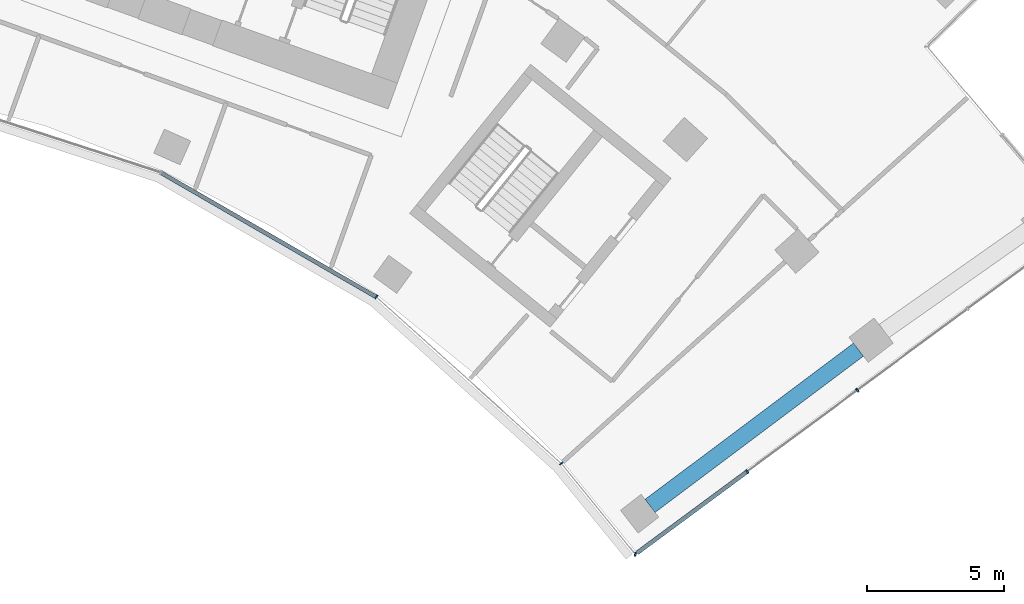
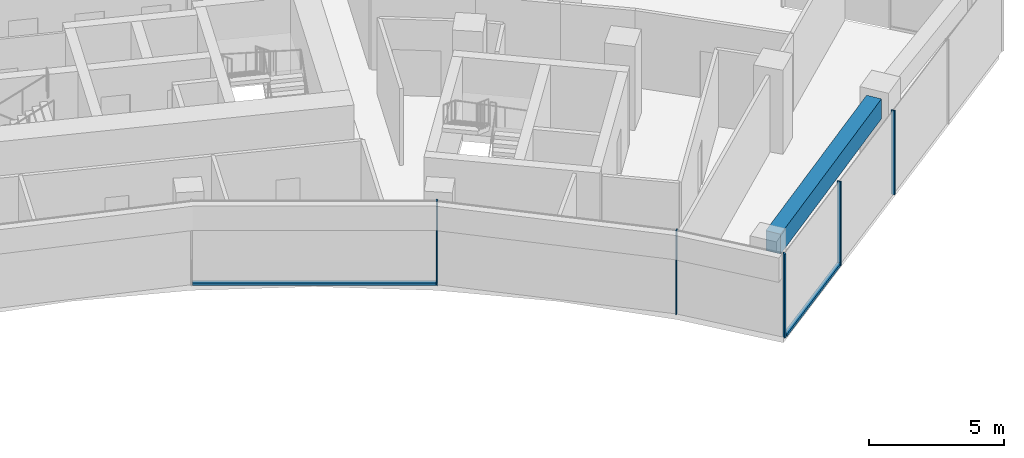
# One storey, part 7 of 19: 7 members, 1 beam, 2 elements without a shape of their own.
"""IFC4 building model written with IfcOpenShell, lengths in metres."""

from ifc_helpers import new_model, si_unit, direction, frame, origin, origin_2d, place, context, subcontext, project, spatial, rectangle, extrude, material, layer, layer_set, material_profile, profile_set, type_object, element, aggregate, save


model = new_model("IFC4")

# Units and contexts
model_context = context("Model", 3, precision=1e-05, world=origin(), true_north=direction((0.0, 1.0)))
body_context = subcontext(model_context, "Body", "Model", "MODEL_VIEW")
ifc_project = project(units=[si_unit("LENGTHUNIT", "METRE"), si_unit("AREAUNIT", "SQUARE_METRE"), si_unit("VOLUMEUNIT", "CUBIC_METRE"), si_unit("PLANEANGLEUNIT", "RADIAN"), si_unit("MASSUNIT", "GRAM", prefix="KILO")], contexts=[model_context])

# Site, building, storey
site_placement = place(None, origin())
site = spatial("IfcSite", under=ifc_project, at=site_placement, CompositionType="ELEMENT")
building_placement = place(site_placement, origin())
building = spatial("IfcBuilding", under=site, at=building_placement, Name="Stone Belt Terrace Tower", CompositionType="ELEMENT")
storey_placement = place(building_placement, frame((0.0, 0.0, 208.60009765625)))
storey = spatial("IfcBuildingStorey", under=building, at=storey_placement, Name="L50", CompositionType="ELEMENT", Elevation=208.60009765625)

# Curtain wall, members
ifc_material_1 = material(Name="Aluminium 6063-T6 anodised frame", Category="aluminium")
ifc_layer_1 = layer(ifc_material_1, 0.14990234375)
ifc_layer_set_1 = layer_set([ifc_layer_1], Name="CW-B unitised concave-face curtain wall")
curtain_wall_type_1 = type_object("IfcCurtainWallType", Name="CW-B unitised concave-face curtain wall", PredefinedType="NOTDEFINED", material=ifc_layer_set_1)
curtain_wall_1_placement = place(storey_placement, origin())
curtain_wall_1 = element("IfcCurtainWall", 1, at=curtain_wall_1_placement, inside=storey, type_object=curtain_wall_type_1, Name="CW-B concave face L50", PredefinedType="NOTDEFINED")
ifc_material_profile_1 = material_profile(ifc_material_1, rectangle(XDim=0.14990234375, YDim=0.050048828125, at=origin_2d()), Name="Aluminium 6063-T6 50x150")
ifc_profile_set_1 = profile_set([ifc_material_profile_1], Name="Aluminium 6063-T6 anodised frame")
member_type_1 = type_object("IfcMemberType", Name="CW-B mullion 50 x 150", PredefinedType="MULLION", material=ifc_profile_set_1)
member_1_placement = place(storey_placement, frame((25.5244140625, 35.13134765625, 0.0), z_axis=(0.0, 0.0, 1.0), x_axis=(0.587785252292, 0.809016994375, 0.0)))
member_1 = element("IfcMember", 2, at=member_1_placement, type_object=member_type_1, Name="CW-B mullion 8", PredefinedType="MULLION", context=body_context, shape_type="SweptSolid", body=[
    extrude(rectangle(XDim=0.14990234375, YDim=0.050048828125, at=origin_2d()), origin(), (0.0, 0.0, 1.0), 3.7998046875),
])
member_2_placement = place(storey_placement, frame((32.2724609375, 29.05517578125, 0.0), z_axis=(0.0, 0.0, 1.0), x_axis=(0.724007879695, 0.689791700544, 0.0)))
member_2 = element("IfcMember", 3, at=member_2_placement, type_object=member_type_1, Name="CW-B mullion 9", PredefinedType="MULLION", context=body_context, shape_type="SweptSolid", body=[
    extrude(rectangle(XDim=0.14990234375, YDim=0.050048828125, at=origin_2d()), origin(), (0.0, 0.0, 1.0), 3.7998046875),
])
ifc_material_profile_2 = material_profile(ifc_material_1, rectangle(XDim=0.14990234375, YDim=0.1201171875, at=origin_2d()), Name="Aluminium 6063-T6 150x120")
ifc_profile_set_2 = profile_set([ifc_material_profile_2], Name="Aluminium 6063-T6 anodised frame")
member_type_2 = type_object("IfcMemberType", Name="CW-B transom 120 x 150", PredefinedType="USERDEFINED", material=ifc_profile_set_2)
member_3_placement = place(storey_placement, frame((17.690673828125, 39.654052734375, 0.059814453125), z_axis=(0.866019133895, -0.500010859609, 0.0), x_axis=(0.500010859609, 0.866019133895, 0.0)))
member_3 = element("IfcMember", 4, at=member_3_placement, type_object=member_type_2, Name="CW-B transom 7.1", ObjectType="TRANSOM", PredefinedType="USERDEFINED", context=body_context, shape_type="SweptSolid", body=[
    extrude(rectangle(XDim=0.14990234375, YDim=0.1201171875, at=origin_2d()), origin(), (0.0, 0.0, 1.0), 9.012939453125),
])
aggregate(curtain_wall_1, [member_1, member_2, member_3])

ifc_layer_2 = layer(ifc_material_1, 0.14990234375)
ifc_layer_set_2 = layer_set([ifc_layer_2], Name="CW-C stick curtain wall, horn ends and notches")
curtain_wall_type_2 = type_object("IfcCurtainWallType", Name="CW-C stick curtain wall, horn ends and notches", PredefinedType="NOTDEFINED", material=ifc_layer_set_2)
curtain_wall_2_placement = place(storey_placement, origin())
curtain_wall_2 = element("IfcCurtainWall", 5, at=curtain_wall_2_placement, inside=storey, type_object=curtain_wall_type_2, Name="CW-C end face L50", PredefinedType="NOTDEFINED")
ifc_material_profile_3 = material_profile(ifc_material_1, rectangle(XDim=0.14990234375, YDim=0.06005859375, at=origin_2d()), Name="Aluminium 6063-T6 60x150")
ifc_profile_set_3 = profile_set([ifc_material_profile_3], Name="Aluminium 6063-T6 anodised frame")
member_type_3 = type_object("IfcMemberType", Name="CW-C mullion 60 x 150", PredefinedType="MULLION", material=ifc_profile_set_3)
member_4_placement = place(storey_placement, frame((34.975341796875, 25.744140625, 0.0), z_axis=(0.0, 0.0, 1.0), x_axis=(0.124625557677, 0.992203845172, 0.0)))
member_4 = element("IfcMember", 6, at=member_4_placement, type_object=member_type_3, Name="CW-C mullion 1", PredefinedType="MULLION", context=body_context, shape_type="SweptSolid", body=[
    extrude(rectangle(XDim=0.14990234375, YDim=0.06005859375, at=origin_2d()), origin(), (0.0, 0.0, 1.0), 3.7998046875),
])
member_5_placement = place(storey_placement, frame((39.054443359375, 28.757568359375, 0.0), z_axis=(0.0, 0.0, 1.0), x_axis=(-0.594184091865, 0.804329077539, 0.0)))
member_5 = element("IfcMember", 7, at=member_5_placement, type_object=member_type_3, Name="CW-C mullion 2", PredefinedType="MULLION", context=body_context, shape_type="SweptSolid", body=[
    extrude(rectangle(XDim=0.14990234375, YDim=0.06005859375, at=origin_2d()), origin(), (0.0, 0.0, 1.0), 3.7998046875),
])
member_6_placement = place(storey_placement, frame((43.076171875, 31.728515625, 0.0), z_axis=(0.0, 0.0, 1.0), x_axis=(-0.594184091865, 0.804329077539, 0.0)))
member_6 = element("IfcMember", 8, at=member_6_placement, type_object=member_type_3, Name="CW-C mullion 3", PredefinedType="MULLION", context=body_context, shape_type="SweptSolid", body=[
    extrude(rectangle(XDim=0.14990234375, YDim=0.06005859375, at=origin_2d()), origin(), (0.0, 0.0, 1.0), 3.7998046875),
])
ifc_material_profile_4 = material_profile(ifc_material_1, rectangle(XDim=0.14990234375, YDim=0.1201171875, at=origin_2d()), Name="Aluminium 6063-T6 150x120")
ifc_profile_set_4 = profile_set([ifc_material_profile_4], Name="Aluminium 6063-T6 anodised frame")
member_type_4 = type_object("IfcMemberType", Name="CW-C transom 120 x 150", PredefinedType="USERDEFINED", material=ifc_profile_set_4)
member_7_placement = place(storey_placement, frame((35.034423828125, 25.787841796875, 0.059814453125), z_axis=(0.804325227642, 0.594189303319, 0.0), x_axis=(-0.594189303319, 0.804325227642, 0.0)))
member_7 = element("IfcMember", 9, at=member_7_placement, type_object=member_type_4, Name="CW-C transom 1.1", ObjectType="TRANSOM", PredefinedType="USERDEFINED", context=body_context, shape_type="SweptSolid", body=[
    extrude(rectangle(XDim=0.14990234375, YDim=0.1201171875, at=origin_2d()), origin(), (0.0, 0.0, 1.0), 4.968017578125),
])
aggregate(curtain_wall_2, [member_4, member_5, member_6, member_7])

# Beam
ifc_material_2 = material(Name="Concrete B60", Category="concrete")
ifc_material_profile_5 = material_profile(ifc_material_2, rectangle(XDim=0.60009765625, YDim=0.89990234375, at=origin_2d()), Name="RC 600x900")
ifc_profile_set_5 = profile_set([ifc_material_profile_5], Name="Concrete B60")
beam_type = type_object("IfcBeamType", Name="Edge beam RC 600x900 B60", PredefinedType="SPANDREL", material=ifc_profile_set_5)
beam_placement = place(storey_placement, frame((35.51318359375, 27.5068359375, 3.02978515625), z_axis=(0.800073960697, 0.599901373073, 0.0), x_axis=(-0.599901373073, 0.800073960697, 0.0)))
element("IfcBeam", 10, at=beam_placement, inside=storey, type_object=beam_type, Name="Edge beam L50 B P to Q", PredefinedType="SPANDREL", context=body_context, shape_type="SweptSolid", body=[
    extrude(rectangle(XDim=0.60009765625, YDim=0.89990234375, at=origin_2d()), origin(), (0.0, 0.0, 1.0), 9.505859375),
])

save(model, "model.ifc")
